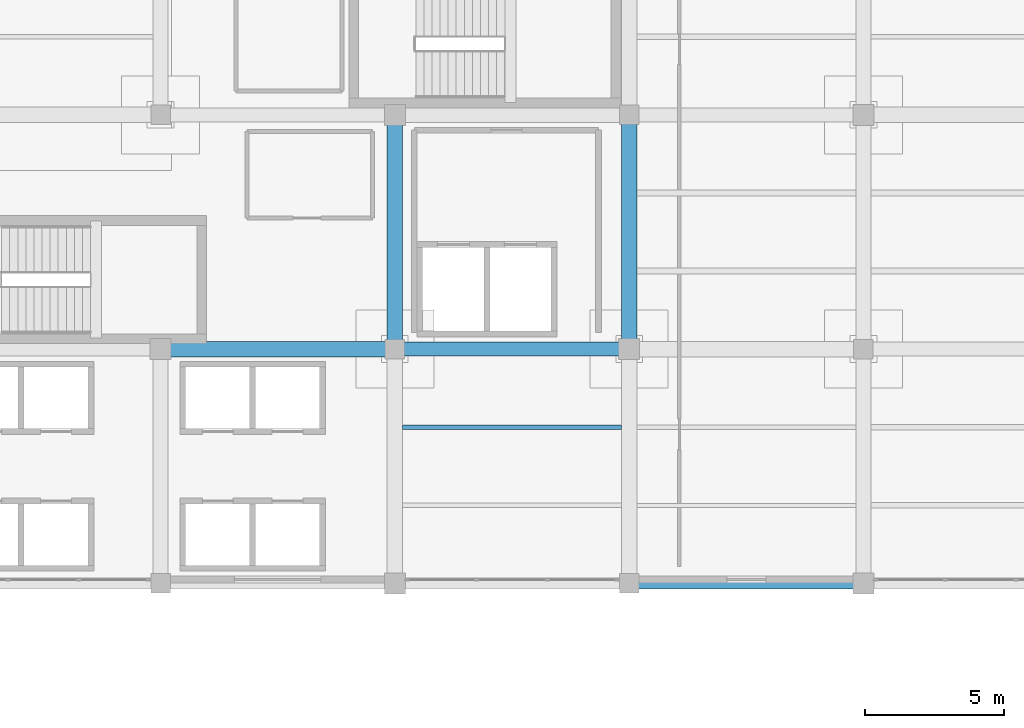
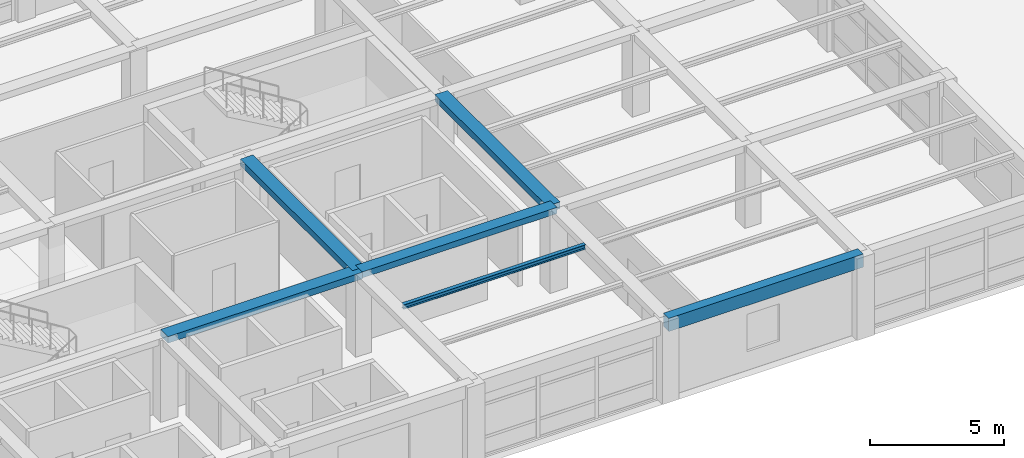
# One storey, part 14 of 35: 6 beams.
"""IFC4 building model written with IfcOpenShell, lengths in metres."""

from ifc_helpers import new_model, si_unit, direction, frame, origin, origin_2d, place, context, subcontext, project, spatial, rectangle, i_section, extrude, material, material_profile, profile_set, type_object, element, save


model = new_model("IFC4")

# Units and contexts
model_context = context("Model", 3, precision=1e-05, world=origin(), true_north=direction((0.0, 1.0)))
body_context = subcontext(model_context, "Body", "Model", "MODEL_VIEW")
ifc_project = project(units=[si_unit("LENGTHUNIT", "METRE"), si_unit("AREAUNIT", "SQUARE_METRE"), si_unit("VOLUMEUNIT", "CUBIC_METRE"), si_unit("PLANEANGLEUNIT", "RADIAN"), si_unit("MASSUNIT", "GRAM", prefix="KILO")], contexts=[model_context])

# Site, building, storey
site_placement = place(None, origin())
site = spatial("IfcSite", under=ifc_project, at=site_placement, CompositionType="ELEMENT")
building_placement = place(site_placement, origin())
building = spatial("IfcBuilding", under=site, at=building_placement, Name="Almacenes y Pasaje Nevantli", CompositionType="ELEMENT")
storey_placement = place(building_placement, frame((0.0, 0.0, 26.699951171875)))
storey = spatial("IfcBuildingStorey", under=building, at=storey_placement, Name="L06", CompositionType="ELEMENT", Elevation=26.699951171875)

# Beams
ifc_material_1 = material(Name="Concrete C35/45", Category="concrete")
ifc_material_profile_1 = material_profile(ifc_material_1, rectangle(XDim=0.39990234375, YDim=0.60009765625, at=origin_2d()), Name="RC-BM-400x600")
ifc_profile_set_1 = profile_set([ifc_material_profile_1], Name="Concrete C35/45")
beam_type_1 = type_object("IfcBeamType", Name="BM-RC-400x600", PredefinedType="SPANDREL", material=ifc_profile_set_1)
beam_1_placement = place(storey_placement, frame((142.800048828125, 67.199951171875, 3.420166015625), z_axis=(1.0, 0.0, 0.0), x_axis=(0.0, 1.0, 0.0)))
element("IfcBeam", 1, at=beam_1_placement, inside=storey, type_object=beam_type_1, Name="L06 East-West Reinforced Concrete Beam #3577", PredefinedType="SPANDREL", context=body_context, shape_type="SweptSolid", body=[
    extrude(rectangle(XDim=0.39990234375, YDim=0.60009765625, at=origin_2d()), origin(), (0.0, 0.0, 1.0), 8.39990234375),
])
ifc_material_2 = material(Name="Concrete C35/45", Category="concrete")
ifc_material_profile_2 = material_profile(ifc_material_2, rectangle(XDim=0.5, YDim=0.280029296875, at=origin_2d()), Name="RC-BM-500x280")
ifc_profile_set_2 = profile_set([ifc_material_profile_2], Name="Concrete C35/45")
beam_type_2 = type_object("IfcBeamType", Name="BM-RC-500x280", PredefinedType="BEAM", material=ifc_profile_set_2)
beam_2_placement = place(storey_placement, frame((134.39990234375, 75.60009765625, 3.580078125), z_axis=(1.0, 0.0, 0.0), x_axis=(0.0, 1.0, 0.0)))
element("IfcBeam", 2, at=beam_2_placement, inside=storey, type_object=beam_type_2, Name="L06 East-West Reinforced Concrete Beam #3582", PredefinedType="BEAM", context=body_context, shape_type="SweptSolid", body=[
    extrude(rectangle(XDim=0.5, YDim=0.280029296875, at=origin_2d()), origin(), (0.0, 0.0, 1.0), 8.400146484375),
])
ifc_material_3 = material(Name="Concrete C35/45", Category="concrete")
ifc_material_profile_3 = material_profile(ifc_material_3, rectangle(XDim=0.550048828125, YDim=0.300048828125, at=origin_2d()), Name="RC-BM-550x300")
ifc_profile_set_3 = profile_set([ifc_material_profile_3], Name="Concrete C35/45")
beam_type_3 = type_object("IfcBeamType", Name="BM-RC-550x300", PredefinedType="BEAM", material=ifc_profile_set_3)
for number, where, z_axis, x_axis, name in (
    (3, (126.0, 75.60009765625, 3.570068359375), (1.0, 0.0, 0.0), (0.0, 1.0, 0.0), "L06 East-West Reinforced Concrete Beam #3581"),
    (4, (134.39990234375, 75.60009765625, 3.570068359375), (0.0, 1.0, 0.0), (-1.0, 0.0, 0.0), "L06 North-South Reinforced Concrete Beam #3615"),
    (5, (142.800048828125, 75.60009765625, 3.570068359375), (0.0, 1.0, 0.0), (-1.0, 0.0, 0.0), "L06 North-South Reinforced Concrete Beam #3618"),
):
    element("IfcBeam", number, at=place(storey_placement, frame(where, z_axis=z_axis, x_axis=x_axis)), inside=storey, type_object=beam_type_3, Name=name, PredefinedType="BEAM", context=body_context, shape_type="SweptSolid", body=[
        extrude(rectangle(XDim=0.550048828125, YDim=0.300048828125, at=origin_2d()), origin(), (0.0, 0.0, 1.0), 8.39990234375),
    ])
ifc_material_4 = material(Name="Steel ASTM A992", Category="steel")
ifc_material_profile_4 = material_profile(ifc_material_4, i_section(OverallWidth=0.166015625, OverallDepth=0.205078125, WebThickness=0.007080078125, FlangeThickness=0.01171875, at=origin_2d()), Name="IR 203x41.7")
ifc_profile_set_4 = profile_set([ifc_material_profile_4], Name="Steel ASTM A992")
beam_type_4 = type_object("IfcBeamType", Name="BM-STL-IR-203x41p7", PredefinedType="JOIST", material=ifc_profile_set_4)
beam_3_placement = place(storey_placement, frame((134.675048828125, 72.800048828125, 3.609619140625), z_axis=(1.0, 0.0, 0.0), x_axis=(0.0, 1.0, 0.0)))
element("IfcBeam", 6, at=beam_3_placement, inside=storey, type_object=beam_type_4, Name="L06 Secondary Steel Floor Joist #1368", PredefinedType="JOIST", context=body_context, shape_type="SweptSolid", body=[
    extrude(i_section(OverallWidth=0.166015625, OverallDepth=0.205078125, WebThickness=0.007080078125, FlangeThickness=0.01171875, at=origin_2d()), origin(), (0.0, 0.0, 1.0), 7.849853515625),
])

save(model, "model.ifc")
